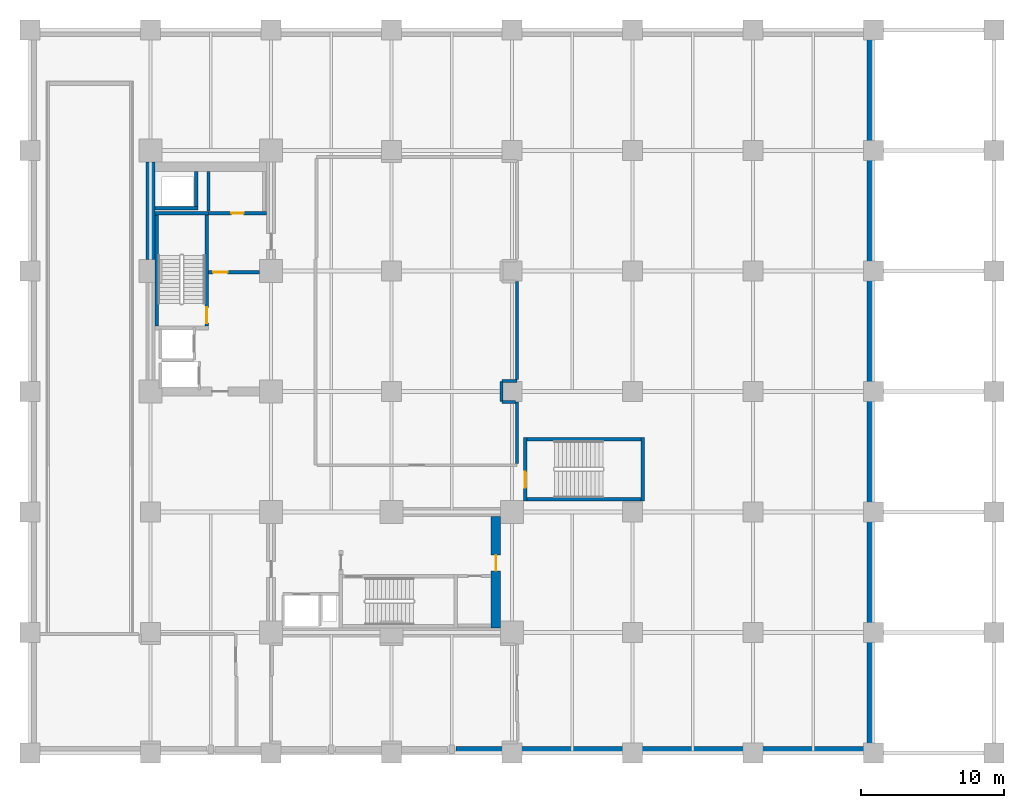
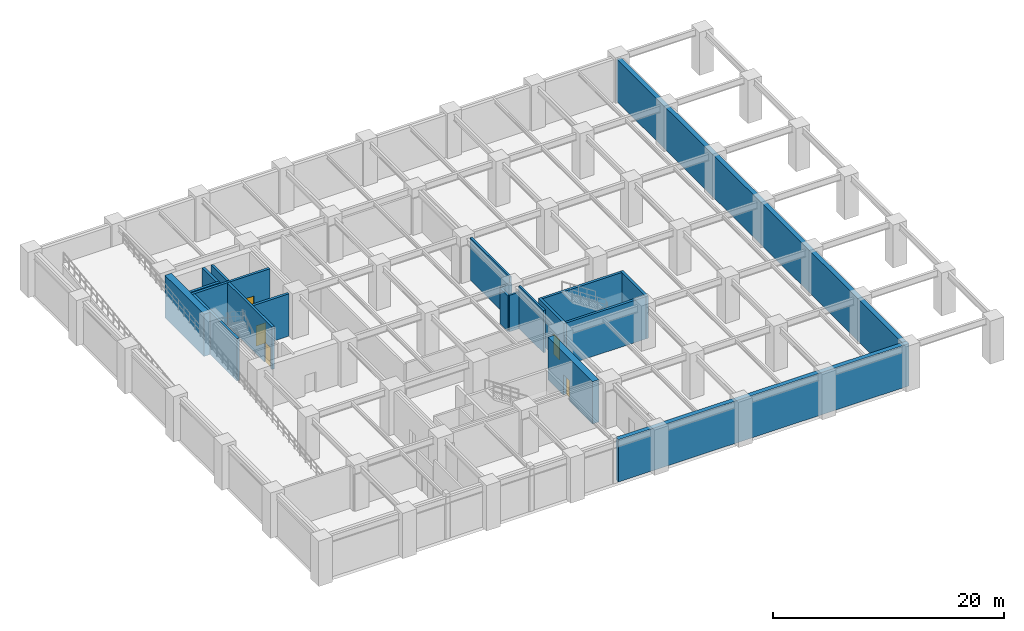
# One storey, part 4 of 7: 21 walls, 5 doors, 5 openings.
"""IFC4 building model written with IfcOpenShell, lengths in metres."""

import ifcopenshell
import ifcopenshell.guid

model = None  # the IFC model being written
_history = None  # IfcOwnerHistory: only IFC2X3 demands one
_inside = {}  # id of a spatial element -> (the spatial element, [elements in it])
_under = {}  # id of a project, library or spatial element -> (it, [spatial elements below it])
_declared = {}  # id of a project -> (the project, [libraries it declares])
_typed = {}  # id of a type object -> (the type object, [elements of that type])
_made_of = {}  # id of a material, layer set ... -> (it, [elements and type objects made of it])


def new_model(schema):
    """Start an empty IFC model of exactly this schema.

    Asked for "IFC4X3", IfcOpenShell would pick the latest addendum, in which some entities
    have other attributes; the version numbers below select the first issue.
    IFC2X3 requires an IfcOwnerHistory on every rooted entity: one is made here for all.
    """
    global model, _history
    if schema == "IFC4X3":
        model = ifcopenshell.file(schema_version=(4, 3, 0, 0))
    else:
        model = ifcopenshell.file(schema=schema)
    _inside.clear()
    _under.clear()
    _declared.clear()
    _typed.clear()
    _made_of.clear()
    _history = None
    if model.schema == "IFC2X3":
        org = make("IfcOrganization", Name="unknown")
        user = make(
            "IfcPersonAndOrganization",
            ThePerson=make("IfcPerson", FamilyName="unknown"),
            TheOrganization=org,
        )
        app = make(
            "IfcApplication",
            ApplicationDeveloper=org,
            Version="unknown",
            ApplicationFullName="unknown",
            ApplicationIdentifier="unknown",
        )
        _history = make(
            "IfcOwnerHistory",
            OwningUser=user,
            OwningApplication=app,
            ChangeAction="ADDED",
            CreationDate=0,
        )
    return model


def make(cls, **values):
    """One entity of the class cls with the attributes given. An attribute that is None is left unset."""
    return model.create_entity(
        cls, **{name: value for name, value in values.items() if value is not None}
    )


def rooted(cls, **values):
    """An entity with a GlobalId (a new one), such as an element, a storey or a relation."""
    return make(cls, GlobalId=ifcopenshell.guid.new(), OwnerHistory=_history, **values)


def si_unit(unit_type, name, prefix=None):
    """IfcSIUnit, for example si_unit("LENGTHUNIT", "METRE", prefix="MILLI")."""
    return make("IfcSIUnit", UnitType=unit_type, Prefix=prefix, Name=name)


def assignment(units):
    """IfcUnitAssignment: the units of a project."""
    return None if units is None else make("IfcUnitAssignment", Units=units)


def point(xyz):
    """IfcCartesianPoint."""
    return None if xyz is None else make("IfcCartesianPoint", Coordinates=xyz)


def direction(xyz):
    """IfcDirection."""
    return None if xyz is None else make("IfcDirection", DirectionRatios=xyz)


def frame(location, z_axis=None, x_axis=None):
    """IfcAxis2Placement3D, a coordinate frame: its origin and axes. An axis left out is left unset."""
    return make(
        "IfcAxis2Placement3D",
        Location=point(location),
        Axis=direction(z_axis),
        RefDirection=direction(x_axis),
    )


def frame_2d(location, x_axis=None):
    """IfcAxis2Placement2D, a coordinate frame in the plane: its origin and x axis."""
    return make(
        "IfcAxis2Placement2D", Location=point(location), RefDirection=direction(x_axis)
    )


def origin():
    """The frame at (0, 0, 0) with its axes left unset."""
    return frame((0.0, 0.0, 0.0))


def place(relative_to, where):
    """IfcLocalPlacement: puts the frame where relative to a parent placement (None: the world)."""
    return make(
        "IfcLocalPlacement", PlacementRelTo=relative_to, RelativePlacement=where
    )


def context(
    kind, dimensions, precision=None, world=None, true_north=None, identifier=None
):
    """IfcGeometricRepresentationContext, for example the 3D "Model" context."""
    return make(
        "IfcGeometricRepresentationContext",
        ContextIdentifier=identifier,
        ContextType=kind,
        CoordinateSpaceDimension=dimensions,
        Precision=precision,
        WorldCoordinateSystem=world,
        TrueNorth=true_north,
    )


def subcontext(parent, identifier, kind, view, scale=None):
    """IfcGeometricRepresentationSubContext, for example "Body" below "Model"."""
    return make(
        "IfcGeometricRepresentationSubContext",
        ContextIdentifier=identifier,
        ContextType=kind,
        ParentContext=parent,
        TargetScale=scale,
        TargetView=view,
    )


def project(units=None, contexts=None):
    """IfcProject with its units and contexts."""
    return rooted(
        "IfcProject",
        Name="project",
        RepresentationContexts=contexts,
        UnitsInContext=assignment(units),
    )


def spatial(cls, under=None, at=None, **own):
    """A site, building, storey or space (cls), placed at a placement, below another one or the project."""
    s = rooted(cls, ObjectPlacement=at, **own)
    if under is not None:
        _under.setdefault(under.id(), (under, []))[1].append(s)
    return s


def profile(cls, at=None, kind="AREA", **sizes):
    """A parametric profile (cls). Its sizes go by their IFC names, for example OverallWidth=200.0."""
    return make(cls, ProfileType=kind, Position=at, **sizes)


def rectangle(**sizes):
    """IfcRectangleProfileDef."""
    return profile("IfcRectangleProfileDef", **sizes)


def extrude(swept, where, along, depth):
    """IfcExtrudedAreaSolid: the profile swept, set in the frame where, extruded along a direction by depth."""
    return make(
        "IfcExtrudedAreaSolid",
        SweptArea=swept,
        Position=where,
        ExtrudedDirection=direction(along),
        Depth=depth,
    )


def shape(context_of_items, identifier, shape_type, items):
    """IfcShapeRepresentation: the items that make up one representation, for example the "Body"."""
    return make(
        "IfcShapeRepresentation",
        ContextOfItems=context_of_items,
        RepresentationIdentifier=identifier,
        RepresentationType=shape_type,
        Items=items,
    )


def material(Name=None, Category=None):
    """IfcMaterial."""
    return make("IfcMaterial", Name=Name, Category=Category)


def layer(
    of_material, thickness, ventilated=None, Name=None, Category=None, Priority=None
):
    """IfcMaterialLayer: one layer of a wall or slab, of a material (None: an air gap)."""
    return make(
        "IfcMaterialLayer",
        Material=of_material,
        LayerThickness=thickness,
        IsVentilated=ventilated,
        Name=Name,
        Category=Category,
        Priority=Priority,
    )


def layer_set(layers, Name=None):
    """IfcMaterialLayerSet."""
    return make("IfcMaterialLayerSet", MaterialLayers=layers, LayerSetName=Name)


def made_of(thing, what):
    """Note that an element or type object is made of a material, layer set ...; save() writes the relation."""
    if what is not None:
        _made_of.setdefault(what.id(), (what, []))[1].append(thing)
    return thing


def type_object(cls, material=None, **own):
    """A type object (cls), such as IfcWallType, which elements share."""
    return made_of(rooted(cls, **own), material)


def element(
    cls,
    number,
    at=None,
    inside=None,
    cuts=None,
    type_object=None,
    material=None,
    context=None,
    identifier="Body",
    shape_type=None,
    held_by="IfcProductDefinitionShape",
    body=None,
    shapes=None,
    **own,
):
    """One element of the class cls, such as IfcWall. Its Tag is "e" and its number.

    at: its placement. inside: the storey or other place that contains it. cuts: it is an
    opening in that element (IfcRelVoidsElement). A single representation is given by context,
    identifier, shape_type and body (its items); several are given by shapes. held_by: the class
    of the entity that holds the representations. save() writes the other relations.
    """
    e = rooted(cls, Tag="e%d" % number, ObjectPlacement=at, **own)
    if body is not None:
        shapes = [shape(context, identifier, shape_type, body)]
    if shapes is not None:
        e.Representation = make(held_by, Representations=shapes)
    if inside is not None:
        _inside.setdefault(inside.id(), (inside, []))[1].append(e)
    if cuts is not None:
        rooted(
            "IfcRelVoidsElement", RelatingBuildingElement=cuts, RelatedOpeningElement=e
        )
    if type_object is not None:
        _typed.setdefault(type_object.id(), (type_object, []))[1].append(e)
    return made_of(e, material)


def fill(opening, filler):
    """IfcRelFillsElement: the door or window that sits in an opening."""
    return rooted(
        "IfcRelFillsElement",
        RelatingOpeningElement=opening,
        RelatedBuildingElement=filler,
    )


def aggregate(whole, parts):
    """IfcRelAggregates: a whole, such as a stair, and the parts it consists of."""
    return rooted("IfcRelAggregates", RelatingObject=whole, RelatedObjects=parts)


def save(model, path):
    """Write the relations noted so far, then the file.

    IfcRelAggregates (storeys below a building ...), IfcRelContainedInSpatialStructure (elements
    in a storey), IfcRelDefinesByType, IfcRelAssociatesMaterial and IfcRelDeclares: one each for
    every whole, place, type object, material and project.
    """
    for whole, parts in _under.values():
        aggregate(whole, parts)
    for where, things in _inside.values():
        rooted(
            "IfcRelContainedInSpatialStructure",
            RelatedElements=things,
            RelatingStructure=where,
        )
    for kind, things in _typed.values():
        rooted("IfcRelDefinesByType", RelatedObjects=things, RelatingType=kind)
    for what, things in _made_of.values():
        rooted("IfcRelAssociatesMaterial", RelatedObjects=things, RelatingMaterial=what)
    for by, libraries in _declared.values():
        rooted("IfcRelDeclares", RelatingContext=by, RelatedDefinitions=libraries)
    model.write(path)


model = new_model("IFC4")

# Units and contexts
model_context = context("Model", 3, precision=1e-05, world=origin(), true_north=direction((0.0, 1.0)))
body_context = subcontext(model_context, "Body", "Model", "MODEL_VIEW")
ifc_project = project(units=[si_unit("LENGTHUNIT", "METRE"), si_unit("AREAUNIT", "SQUARE_METRE"), si_unit("VOLUMEUNIT", "CUBIC_METRE"), si_unit("PLANEANGLEUNIT", "RADIAN"), si_unit("MASSUNIT", "GRAM", prefix="KILO")], contexts=[model_context])

# Site, building, storey
site_placement = place(None, origin())
site = spatial("IfcSite", under=ifc_project, at=site_placement, CompositionType="ELEMENT")
building_placement = place(site_placement, origin())
building = spatial("IfcBuilding", under=site, at=building_placement, Name="Nerrivon Quay Data Exchange", CompositionType="ELEMENT")
storey_placement = place(building_placement, frame((0.0, 0.0, -4.800048828125)))
storey = spatial("IfcBuildingStorey", under=building, at=storey_placement, Name="B01", CompositionType="ELEMENT", Elevation=-4.800048828125)

# Wall
ifc_material_1 = material(Name="Concrete N80 (80 MPa)", Category="concrete")
ifc_layer_1 = layer(ifc_material_1, 0.64990234375)
ifc_layer_set_1 = layer_set([ifc_layer_1], Name="Concrete N80 (80 MPa)")
wall_type_1 = type_object("IfcWallType", Name="WALL-CW-850", PredefinedType="SHEAR", material=ifc_layer_set_1)
wall_1_placement = place(storey_placement, frame((8.39990234375, 34.39990234375, 0.0), z_axis=(0.0, 0.0, 1.0), x_axis=(0.0, 1.0, 0.0)))
element("IfcWall", 1, at=wall_1_placement, inside=storey, type_object=wall_type_1, Name="B01 West Split-Core Shear Wall WCW-W2", PredefinedType="SHEAR", context=body_context, shape_type="SweptSolid", body=[
    extrude(rectangle(XDim=6.800048828125, YDim=0.64990234375, at=frame_2d((3.39990234375, 0.0))), origin(), (0.0, 0.0, 1.0), 4.47998046875),
])

# Wall, opening, door
wall_2_placement = place(storey_placement, frame((32.47509765625, 8.72509765625, 0.0), z_axis=(0.0, 0.0, 1.0), x_axis=(0.0, 1.0, 0.0)))
wall_2 = element("IfcWall", 2, at=wall_2_placement, inside=storey, type_object=wall_type_1, Name="B01 East Split-Core Shear Wall ECW-E1", PredefinedType="SHEAR", context=body_context, shape_type="SweptSolid", body=[
    extrude(rectangle(XDim=7.75, YDim=0.64990234375, at=frame_2d((3.875, 0.0))), origin(), (0.0, 0.0, 1.0), 4.47998046875),
])
opening_1_placement = place(wall_2_placement, frame((3.97509765625, 0.0, 0.0)))
opening_1 = element("IfcOpeningElement", 3, at=opening_1_placement, cuts=wall_2, Name="Opening FD-120", PredefinedType="OPENING", context=body_context, shape_type="SweptSolid", body=[
    extrude(rectangle(XDim=1.10009765625, YDim=2.14990234375, at=frame_2d((0.550048828125, 1.074951171875))), frame((0.0, 0.3349609375, 0.0), z_axis=(0.0, -1.0, 0.0), x_axis=(1.0, 0.0, 0.0)), (0.0, 0.0, 1.0), 0.669921875),
])
ifc_material_2 = material(Name="Powder-coated galvanized steel sheet", Category="steel")
door_type_1 = type_object("IfcDoorType", Name="DR-FD120-1100", OperationType="NOTDEFINED", PredefinedType="DOOR", material=ifc_material_2)
door_1_placement = place(opening_1_placement, origin())
door_1 = element("IfcDoor", 4, at=door_1_placement, inside=storey, type_object=door_type_1, Name="B01 East Core Lobby Fire Door", OperationType="SINGLE_SWING_LEFT", OverallHeight=2.14990234375, OverallWidth=1.10009765625, PredefinedType="DOOR", context=body_context, shape_type="SweptSolid", body=[
    extrude(rectangle(XDim=1.10009765625, YDim=2.14990234375, at=frame_2d((0.550048828125, 1.074951171875))), frame((0.0, 0.02490234375, 0.0), z_axis=(0.0, -1.0, 0.0), x_axis=(1.0, 0.0, 0.0)), (0.0, 0.0, 1.0), 0.050048828125),
])
fill(opening_1, door_1)

# Walls
ifc_material_3 = material(Name="Gypsum plasterboard on cold-formed framing", Category="gypsum")
ifc_layer_2 = layer(ifc_material_3, 0.199951171875)
ifc_layer_set_2 = layer_set([ifc_layer_2], Name="Gypsum plasterboard on cold-formed framing")
wall_type_2 = type_object("IfcWallType", Name="WALL-FW-200", PredefinedType="PARTITIONING", material=ifc_layer_set_2)
wall_3_placement = place(storey_placement, frame((12.449951171875, 40.5458984375, 0.0), z_axis=(0.0, 0.0, 1.0), x_axis=(0.0, -1.0, 0.0)))
element("IfcWall", 5, at=wall_3_placement, inside=storey, type_object=wall_type_2, Name="B01 Partition Electrical Switchboard Closet", PredefinedType="PARTITIONING", context=body_context, shape_type="SweptSolid", body=[
    extrude(rectangle(XDim=2.765869140625, YDim=0.199951171875, at=frame_2d((1.3828125, 0.0))), origin(), (0.0, 0.0, 1.0), 4.47998046875),
])
wall_4_placement = place(storey_placement, frame((33.93994140625, 20.1640625, 0.0), z_axis=(0.0, 0.0, 1.0), x_axis=(0.0, 1.0, 0.0)))
element("IfcWall", 6, at=wall_4_placement, inside=storey, type_object=wall_type_2, Name="B01 Partition Heavy Rigid Vehicle Loading Dock", PredefinedType="PARTITIONING", context=body_context, shape_type="SweptSolid", body=[
    extrude(rectangle(XDim=4.31591796875, YDim=0.199951171875, at=frame_2d((2.157958984375, 0.0))), origin(), (0.0, 0.0, 1.0), 4.47998046875),
])
wall_5_placement = place(storey_placement, frame((33.8359375, 24.47998046875, 0.0), z_axis=(0.0, 0.0, 1.0), x_axis=(-1.0, 0.0, 0.0)))
element("IfcWall", 7, at=wall_5_placement, inside=storey, type_object=wall_type_2, Name="B01 Partition Heavy Rigid Vehicle Loading Dock", PredefinedType="PARTITIONING", context=body_context, shape_type="SweptSolid", body=[
    extrude(rectangle(XDim=0.93603515625, YDim=0.199951171875, at=frame_2d((0.468017578125, 0.0))), origin(), (0.0, 0.0, 1.0), 3.8681640625),
])
wall_6_placement = place(storey_placement, frame((32.8798828125, 24.5, 0.0), z_axis=(0.0, 0.0, 1.0), x_axis=(0.0, 1.0, 0.0)))
element("IfcWall", 8, at=wall_6_placement, inside=storey, type_object=wall_type_2, Name="B01 Partition Heavy Rigid Vehicle Loading Dock", PredefinedType="PARTITIONING", context=body_context, shape_type="SweptSolid", body=[
    extrude(rectangle(XDim=1.39990234375, YDim=0.199951171875, at=frame_2d((0.699951171875, 0.0))), origin(), (0.0, 0.0, 1.0), 3.780029296875),
])
wall_7_placement = place(storey_placement, frame((32.89990234375, 25.919921875, 0.0), z_axis=(0.0, 0.0, 1.0), x_axis=(1.0, 0.0, 0.0)))
element("IfcWall", 9, at=wall_7_placement, inside=storey, type_object=wall_type_2, Name="B01 Partition Heavy Rigid Vehicle Loading Dock", PredefinedType="PARTITIONING", context=body_context, shape_type="SweptSolid", body=[
    extrude(rectangle(XDim=1.0400390625, YDim=0.199951171875, at=frame_2d((0.52001953125, 0.0))), origin(), (0.0, 0.0, 1.0), 3.8681640625),
])
wall_8_placement = place(storey_placement, frame((33.93994140625, 26.02392578125, 0.0), z_axis=(0.0, 0.0, 1.0), x_axis=(0.0, 1.0, 0.0)))
element("IfcWall", 10, at=wall_8_placement, inside=storey, type_object=wall_type_2, Name="B01 Partition Heavy Rigid Vehicle Loading Dock", PredefinedType="PARTITIONING", context=body_context, shape_type="SweptSolid", body=[
    extrude(rectangle(XDim=6.85595703125, YDim=0.199951171875, at=frame_2d((3.427978515625, 0.0))), origin(), (0.0, 0.0, 1.0), 4.47998046875),
])
ifc_material_4 = material(Name="Concrete N50 (50 MPa)", Category="concrete")
ifc_layer_3 = layer(ifc_material_4, 0.449951171875)
ifc_layer_set_3 = layer_set([ifc_layer_3], Name="Concrete N50 (50 MPa)")
wall_type_3 = type_object("IfcWallType", Name="WALL-RET-450", PredefinedType="SOLIDWALL", material=ifc_layer_set_3)
wall_9_placement = place(storey_placement, frame((29.699951171875, 0.22509765625, 0.0), z_axis=(0.0, 0.0, 1.0), x_axis=(1.0, 0.0, 0.0)))
element("IfcWall", 11, at=wall_9_placement, inside=storey, type_object=wall_type_3, Name="B01 Perimeter Retaining Wall S4", PredefinedType="SOLIDWALL", context=body_context, shape_type="SweptSolid", body=[
    extrude(rectangle(XDim=29.10009765625, YDim=0.449951171875, at=frame_2d((14.550048828125, 0.0))), origin(), (0.0, 0.0, 1.0), 4.47998046875),
])
wall_10_placement = place(storey_placement, frame((58.574951171875, 0.449951171875, 0.0), z_axis=(0.0, 0.0, 1.0), x_axis=(0.0, 1.0, 0.0)))
element("IfcWall", 12, at=wall_10_placement, inside=storey, type_object=wall_type_3, Name="B01 Perimeter Retaining Wall E", PredefinedType="SOLIDWALL", context=body_context, shape_type="SweptSolid", body=[
    extrude(rectangle(XDim=49.5, YDim=0.449951171875, at=frame_2d((24.75, 0.0))), origin(), (0.0, 0.0, 1.0), 4.47998046875),
])
ifc_layer_4 = layer(ifc_material_4, 0.25)
ifc_layer_set_4 = layer_set([ifc_layer_4], Name="Concrete N50 (50 MPa)")
wall_type_4 = type_object("IfcWallType", Name="WALL-SW-250", PredefinedType="SHEAR", material=ifc_layer_set_4)
wall_11_placement = place(storey_placement, frame((12.449951171875, 37.625, 0.0), z_axis=(0.0, 0.0, 1.0), x_axis=(-1.0, 0.0, 0.0)))
element("IfcWall", 13, at=wall_11_placement, inside=storey, type_object=wall_type_4, Name="B01 ST01 Structural Stair Core Wall FAR", PredefinedType="SHEAR", context=body_context, shape_type="SweptSolid", body=[
    extrude(rectangle(XDim=3.75, YDim=0.25, at=frame_2d((1.875, 0.0))), origin(), (0.0, 0.0, 1.0), 4.47998046875),
])

# Wall, opening, door
wall_12_placement = place(storey_placement, frame((12.324951171875, 29.75, 0.0), z_axis=(0.0, 0.0, 1.0), x_axis=(0.0, 1.0, 0.0)))
wall_12 = element("IfcWall", 14, at=wall_12_placement, inside=storey, type_object=wall_type_4, Name="B01 ST01 Structural Stair Core Wall LEFT", PredefinedType="SHEAR", context=body_context, shape_type="SweptSolid", body=[
    extrude(rectangle(XDim=7.75, YDim=0.25, at=frame_2d((3.875, 0.0))), origin(), (0.0, 0.0, 1.0), 4.47998046875),
])
opening_2_placement = place(wall_12_placement, frame((0.219970703125, 0.0, 0.0)))
opening_2 = element("IfcOpeningElement", 15, at=opening_2_placement, cuts=wall_12, Name="Opening FD-120", PredefinedType="OPENING", context=body_context, shape_type="SweptSolid", body=[
    extrude(rectangle(XDim=1.10009765625, YDim=2.14990234375, at=frame_2d((0.550048828125, 1.074951171875))), frame((0.0, 0.135009765625, 0.0), z_axis=(0.0, -1.0, 0.0), x_axis=(1.0, 0.0, 0.0)), (0.0, 0.0, 1.0), 0.27001953125),
])
door_2_placement = place(opening_2_placement, origin())
door_2 = element("IfcDoor", 16, at=door_2_placement, inside=storey, type_object=door_type_1, Name="B01 Protected Stair Door ST01", OperationType="SINGLE_SWING_LEFT", OverallHeight=2.14990234375, OverallWidth=1.10009765625, PredefinedType="DOOR", context=body_context, shape_type="SweptSolid", body=[
    extrude(rectangle(XDim=1.10009765625, YDim=2.14990234375, at=frame_2d((0.550048828125, 1.074951171875))), frame((0.0, 0.02490234375, 0.0), z_axis=(0.0, -1.0, 0.0), x_axis=(1.0, 0.0, 0.0)), (0.0, 0.0, 1.0), 0.050048828125),
])
fill(opening_2, door_2)

# Wall
wall_13_placement = place(storey_placement, frame((8.824951171875, 29.75, 0.0), z_axis=(0.0, 0.0, 1.0), x_axis=(0.0, 1.0, 0.0)))
element("IfcWall", 17, at=wall_13_placement, inside=storey, type_object=wall_type_4, Name="B01 ST01 Structural Stair Core Wall RIGHT", PredefinedType="SHEAR", context=body_context, shape_type="SweptSolid", body=[
    extrude(rectangle(XDim=7.75, YDim=0.25, at=frame_2d((3.875, 0.0))), origin(), (0.0, 0.0, 1.0), 4.47998046875),
])

# Wall, opening, door
wall_14_placement = place(storey_placement, frame((34.52490234375, 17.550048828125, 0.0), z_axis=(0.0, 0.0, 1.0), x_axis=(0.0, 1.0, 0.0)))
wall_14 = element("IfcWall", 18, at=wall_14_placement, inside=storey, type_object=wall_type_4, Name="B01 ST03 Structural Stair Core Wall NEAR", PredefinedType="SHEAR", context=body_context, shape_type="SweptSolid", body=[
    extrude(rectangle(XDim=4.449951171875, YDim=0.25, at=frame_2d((2.22509765625, 0.0))), origin(), (0.0, 0.0, 1.0), 4.47998046875),
])
opening_3_placement = place(wall_14_placement, frame((0.949951171875, 0.0, 0.0)))
opening_3 = element("IfcOpeningElement", 19, at=opening_3_placement, cuts=wall_14, Name="Opening FD-120", PredefinedType="OPENING", context=body_context, shape_type="SweptSolid", body=[
    extrude(rectangle(XDim=1.10009765625, YDim=2.14990234375, at=frame_2d((0.550048828125, 1.074951171875))), frame((0.0, 0.135009765625, 0.0), z_axis=(0.0, -1.0, 0.0), x_axis=(1.0, 0.0, 0.0)), (0.0, 0.0, 1.0), 0.27001953125),
])
door_3_placement = place(opening_3_placement, origin())
door_3 = element("IfcDoor", 20, at=door_3_placement, inside=storey, type_object=door_type_1, Name="B01 Protected Stair Door ST03", OperationType="SINGLE_SWING_LEFT", OverallHeight=2.14990234375, OverallWidth=1.10009765625, PredefinedType="DOOR", context=body_context, shape_type="SweptSolid", body=[
    extrude(rectangle(XDim=1.10009765625, YDim=2.14990234375, at=frame_2d((0.550048828125, 1.074951171875))), frame((0.0, 0.02490234375, 0.0), z_axis=(0.0, -1.0, 0.0), x_axis=(1.0, 0.0, 0.0)), (0.0, 0.0, 1.0), 0.050048828125),
])
fill(opening_3, door_3)

# Walls
wall_15_placement = place(storey_placement, frame((42.72509765625, 17.550048828125, 0.0), z_axis=(0.0, 0.0, 1.0), x_axis=(0.0, 1.0, 0.0)))
element("IfcWall", 21, at=wall_15_placement, inside=storey, type_object=wall_type_4, Name="B01 ST03 Structural Stair Core Wall FAR", PredefinedType="SHEAR", context=body_context, shape_type="SweptSolid", body=[
    extrude(rectangle(XDim=4.449951171875, YDim=0.25, at=frame_2d((2.22509765625, 0.0))), origin(), (0.0, 0.0, 1.0), 4.47998046875),
])
for number, where, z_axis, x_axis, name in (
    (22, (34.64990234375, 17.675048828125, 0.0), (0.0, 0.0, 1.0), (1.0, 0.0, 0.0), "B01 ST03 Structural Stair Core Wall LEFT"),
    (23, (34.64990234375, 21.875, 0.0), (0.0, 0.0, 1.0), (1.0, 0.0, 0.0), "B01 ST03 Structural Stair Core Wall RIGHT"),
):
    element("IfcWall", number, at=place(storey_placement, frame(where, z_axis=z_axis, x_axis=x_axis)), inside=storey, type_object=wall_type_4, Name=name, PredefinedType="SHEAR", context=body_context, shape_type="SweptSolid", body=[
        extrude(rectangle(XDim=7.9501953125, YDim=0.25, at=frame_2d((3.97509765625, 0.0))), origin(), (0.0, 0.0, 1.0), 4.47998046875),
    ])
wall_16_placement = place(storey_placement, frame((8.72509765625, 37.97509765625, 0.0), z_axis=(0.0, 0.0, 1.0), x_axis=(1.0, 0.0, 0.0)))
element("IfcWall", 24, at=wall_16_placement, inside=storey, type_object=wall_type_4, Name="B01 West Core MEP Riser Shaft Wall S", PredefinedType="SHEAR", context=body_context, shape_type="SweptSolid", body=[
    extrude(rectangle(XDim=2.974853515625, YDim=0.25, at=frame_2d((1.4873046875, 0.0))), origin(), (0.0, 0.0, 1.0), 4.47998046875),
])
wall_17_placement = place(storey_placement, frame((11.574951171875, 38.10009765625, 0.0), z_axis=(0.0, 0.0, 1.0), x_axis=(0.0, 1.0, 0.0)))
element("IfcWall", 25, at=wall_17_placement, inside=storey, type_object=wall_type_4, Name="B01 West Core MEP Riser Shaft Wall E", PredefinedType="SHEAR", context=body_context, shape_type="SweptSolid", body=[
    extrude(rectangle(XDim=2.449951171875, YDim=0.25, at=frame_2d((1.22509765625, 0.0))), origin(), (0.0, 0.0, 1.0), 4.47998046875),
])

# Wall, opening, door
wall_18_placement = place(storey_placement, frame((12.449951171875, 33.52001953125, 0.0), z_axis=(0.0, 0.0, 1.0), x_axis=(1.0, 0.0, 0.0)))
wall_18 = element("IfcWall", 26, at=wall_18_placement, inside=storey, type_object=wall_type_4, Name="B01 West Lobby Smoke-Stop Wall", PredefinedType="SHEAR", context=body_context, shape_type="SweptSolid", body=[
    extrude(rectangle(XDim=3.550048828125, YDim=0.25, at=frame_2d((1.77490234375, 0.0))), origin(), (0.0, 0.0, 1.0), 4.47998046875),
])
opening_4_placement = place(wall_18_placement, frame((0.320068359375, 0.0, 0.0)))
opening_4 = element("IfcOpeningElement", 27, at=opening_4_placement, cuts=wall_18, Name="Opening FD-60", PredefinedType="OPENING", context=body_context, shape_type="SweptSolid", body=[
    extrude(rectangle(XDim=1.0, YDim=2.14990234375, at=frame_2d((0.5, 1.074951171875))), frame((0.0, 0.135009765625, 0.0), z_axis=(0.0, -1.0, 0.0), x_axis=(1.0, 0.0, 0.0)), (0.0, 0.0, 1.0), 0.27001953125),
])
ifc_material_5 = material(Name="Engineered hardwood timber", Category="wood")
door_type_2 = type_object("IfcDoorType", Name="DR-FD60-1000", OperationType="NOTDEFINED", PredefinedType="DOOR", material=ifc_material_5)
door_4_placement = place(opening_4_placement, origin())
door_4 = element("IfcDoor", 28, at=door_4_placement, inside=storey, type_object=door_type_2, Name="B01 West Firefighting Lobby Fire Door", OperationType="SINGLE_SWING_RIGHT", OverallHeight=2.14990234375, OverallWidth=1.0, PredefinedType="DOOR", context=body_context, shape_type="SweptSolid", body=[
    extrude(rectangle(XDim=1.0, YDim=2.14990234375, at=frame_2d((0.5, 1.074951171875))), frame((0.0, 0.02490234375, 0.0), z_axis=(0.0, -1.0, 0.0), x_axis=(1.0, 0.0, 0.0)), (0.0, 0.0, 1.0), 0.050048828125),
])
fill(opening_4, door_4)

wall_19_placement = place(storey_placement, frame((12.449951171875, 37.625, 0.0), z_axis=(0.0, 0.0, 1.0), x_axis=(1.0, 0.0, 0.0)))
wall_19 = element("IfcWall", 29, at=wall_19_placement, inside=storey, type_object=wall_type_4, Name="B01 West Firefighting Lobby Wall", PredefinedType="SHEAR", context=body_context, shape_type="SweptSolid", body=[
    extrude(rectangle(XDim=4.025146484375, YDim=0.25, at=frame_2d((2.0126953125, 0.0))), origin(), (0.0, 0.0, 1.0), 4.47998046875),
])
opening_5_placement = place(wall_19_placement, frame((1.58740234375, 0.0, 0.0)))
opening_5 = element("IfcOpeningElement", 30, at=opening_5_placement, cuts=wall_19, Name="Opening FD-60S", PredefinedType="OPENING", context=body_context, shape_type="SweptSolid", body=[
    extrude(rectangle(XDim=0.85009765625, YDim=2.14990234375, at=frame_2d((0.425048828125, 1.074951171875))), frame((0.0, 0.135009765625, 0.0), z_axis=(0.0, -1.0, 0.0), x_axis=(1.0, 0.0, 0.0)), (0.0, 0.0, 1.0), 0.27001953125),
])
door_type_3 = type_object("IfcDoorType", Name="DR-FD60-850", OperationType="NOTDEFINED", PredefinedType="DOOR", material=ifc_material_5)
door_5_placement = place(opening_5_placement, origin())
door_5 = element("IfcDoor", 31, at=door_5_placement, inside=storey, type_object=door_type_3, Name="B01 Door Electrical Switchboard Closet", OperationType="SINGLE_SWING_RIGHT", OverallHeight=2.14990234375, OverallWidth=0.85009765625, PredefinedType="DOOR", context=body_context, shape_type="SweptSolid", body=[
    extrude(rectangle(XDim=0.85009765625, YDim=2.14990234375, at=frame_2d((0.425048828125, 1.074951171875))), frame((0.0, 0.02490234375, 0.0), z_axis=(0.0, -1.0, 0.0), x_axis=(1.0, 0.0, 0.0)), (0.0, 0.0, 1.0), 0.050048828125),
])
fill(opening_5, door_5)

save(model, "model.ifc")
